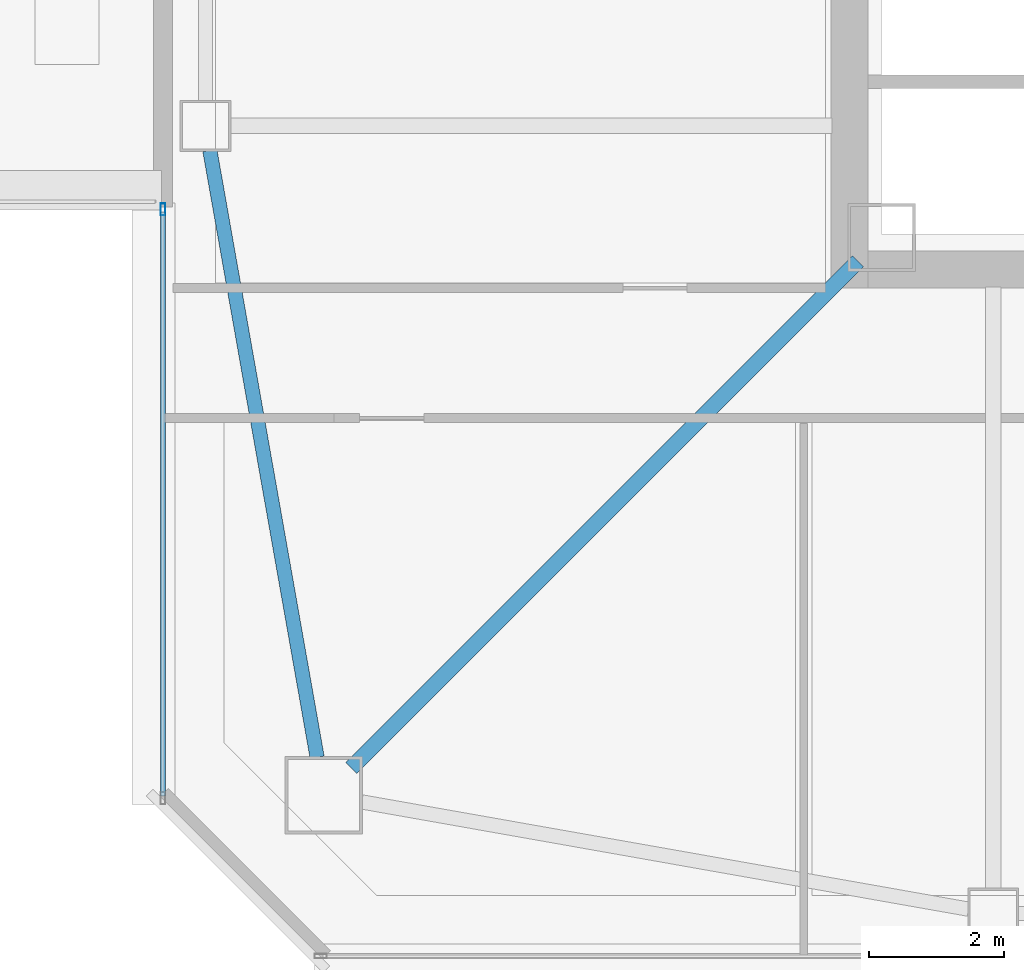
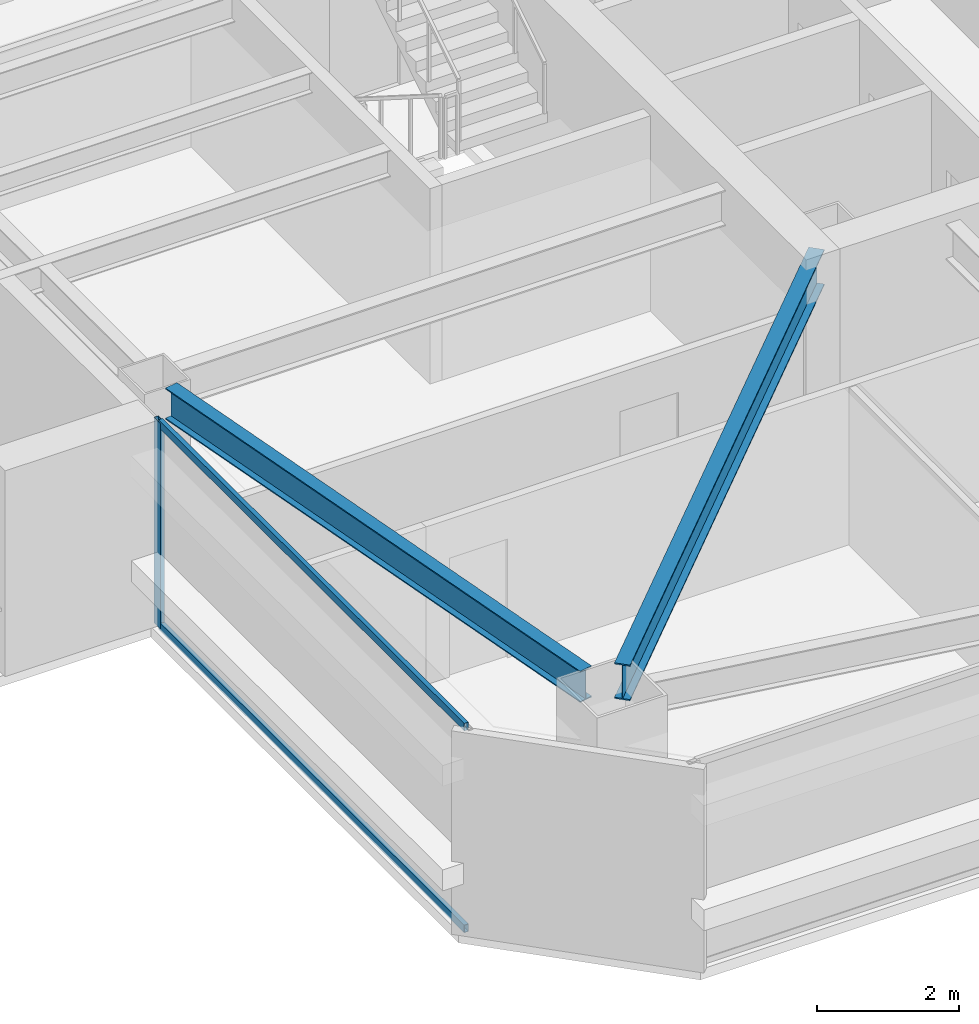
# One storey, part 4 of 43: 3 members, 2 beams, 1 element without a shape of its own.
"""IFC4 building model written with IfcOpenShell, lengths in metres."""

from ifc_helpers import new_model, si_unit, direction, frame, origin, origin_2d, place, context, subcontext, project, spatial, hollow_rectangle, i_section, extrude, material, material_profile, profile_set, type_object, element, aggregate, save


model = new_model("IFC4")

# Units and contexts
model_context = context("Model", 3, precision=1e-05, world=origin(), true_north=direction((0.0, 1.0)))
body_context = subcontext(model_context, "Body", "Model", "MODEL_VIEW")
ifc_project = project(units=[si_unit("LENGTHUNIT", "METRE"), si_unit("AREAUNIT", "SQUARE_METRE"), si_unit("VOLUMEUNIT", "CUBIC_METRE"), si_unit("PLANEANGLEUNIT", "RADIAN"), si_unit("MASSUNIT", "GRAM", prefix="KILO")], contexts=[model_context])

# Site, building, storey
site_placement = place(None, origin())
site = spatial("IfcSite", under=ifc_project, at=site_placement, CompositionType="ELEMENT")
building_placement = place(site_placement, origin())
building = spatial("IfcBuilding", under=site, at=building_placement, Name="Tashvorn Skyway Center", CompositionType="ELEMENT")
storey_placement = place(building_placement, frame((0.0, 0.0, 188.949951171875)))
storey = spatial("IfcBuildingStorey", under=building, at=storey_placement, Name="L51", CompositionType="ELEMENT", Elevation=188.949951171875)

# Beams
ifc_material_1 = material(Name="Steel ASTM A992 Grade 50", Category="steel")
ifc_material_profile_1 = material_profile(ifc_material_1, i_section(OverallWidth=0.22998046875, OverallDepth=0.616943359375, WebThickness=0.01318359375, FlangeThickness=0.022216796875, at=origin_2d()), Name="W24X94")
ifc_profile_set_1 = profile_set([ifc_material_profile_1], Name="Steel ASTM A992 Grade 50")
beam_type_1 = type_object("IfcBeamType", Name="BM-BEAM-W24X94", PredefinedType="BEAM", material=ifc_profile_set_1)
beam_1_placement = place(storey_placement, frame((27.10302734375, 17.10302734375, 3.0615234375), z_axis=(0.707106781187, 0.707106781187, 0.0), x_axis=(-0.707106781187, 0.707106781187, 0.0)))
element("IfcBeam", 1, at=beam_1_placement, inside=storey, type_object=beam_type_1, Name="Tower 1 L51 Primary Floor Girder MC-SW", PredefinedType="BEAM", context=body_context, shape_type="SweptSolid", body=[
    extrude(i_section(OverallWidth=0.22998046875, OverallDepth=0.616943359375, WebThickness=0.01318359375, FlangeThickness=0.022216796875, at=origin_2d()), origin(), (0.0, 0.0, 1.0), 10.6025390625),
])
ifc_material_profile_2 = material_profile(ifc_material_1, i_section(OverallWidth=0.2109375, OverallDepth=0.5390625, WebThickness=0.01171875, FlangeThickness=0.018798828125, at=origin_2d()), Name="W21X73")
ifc_profile_set_2 = profile_set([ifc_material_profile_2], Name="Steel ASTM A992 Grade 50")
beam_type_2 = type_object("IfcBeamType", Name="BM-SPANDREL-W21X73", PredefinedType="SPANDREL", material=ifc_profile_set_2)
beam_2_placement = place(storey_placement, frame((25.014404296875, 26.235595703125, 3.1005859375), z_axis=(0.174074160933, -0.984732545667, 0.0), x_axis=(0.984732545667, 0.174074160933, 0.0)))
element("IfcBeam", 2, at=beam_2_placement, inside=storey, type_object=beam_type_2, Name="Tower 1 L51 Spandrel Beam 12", PredefinedType="SPANDREL", context=body_context, shape_type="SweptSolid", body=[
    extrude(i_section(OverallWidth=0.2109375, OverallDepth=0.5390625, WebThickness=0.01171875, FlangeThickness=0.018798828125, at=origin_2d()), origin(), (0.0, 0.0, 1.0), 9.113525390625),
])

# Curtain wall, members
ifc_material_2 = material(Name="Thermally broken bronze-anodized aluminium 6063-T6", Category="aluminium")
curtain_wall_type = type_object("IfcCurtainWallType", Name="CW-CW-Z4", PredefinedType="NOTDEFINED", material=ifc_material_2)
curtain_wall_placement = place(storey_placement, origin())
curtain_wall = element("IfcCurtainWall", 3, at=curtain_wall_placement, inside=storey, type_object=curtain_wall_type, Name="Tower 1 L51 West Curtain Wall L", PredefinedType="NOTDEFINED")
ifc_material_profile_3 = material_profile(ifc_material_2, hollow_rectangle(XDim=0.070068359375, YDim=0.179931640625, WallThickness=0.00390625, at=origin_2d()), Name="ALU-MULL-70x180")
ifc_profile_set_3 = profile_set([ifc_material_profile_3], Name="Thermally broken bronze-anodized aluminium 6063-T6")
member_type_1 = type_object("IfcMemberType", Name="CWM-CW-Z4", PredefinedType="MULLION", material=ifc_profile_set_3)
member_1_placement = place(storey_placement, frame((24.320068359375, 25.364990234375, 0.0), z_axis=(0.0, 0.0, 1.0), x_axis=(-1.0, 0.0, 0.0)))
member_1 = element("IfcMember", 4, at=member_1_placement, type_object=member_type_1, Name="CW-Z4 mullion 2", PredefinedType="MULLION", context=body_context, shape_type="SweptSolid", body=[
    extrude(hollow_rectangle(XDim=0.070068359375, YDim=0.179931640625, WallThickness=0.00390625, at=origin_2d()), origin(), (0.0, 0.0, 1.0), 3.550048828125),
])
ifc_material_profile_4 = material_profile(ifc_material_2, hollow_rectangle(XDim=0.070068359375, YDim=0.1298828125, WallThickness=0.00390625, at=origin_2d()), Name="ALU-TRAN-70x130")
ifc_profile_set_4 = profile_set([ifc_material_profile_4], Name="Thermally broken bronze-anodized aluminium 6063-T6")
member_type_2 = type_object("IfcMemberType", Name="CWT-CW-Z4", PredefinedType="USERDEFINED", material=ifc_profile_set_4)
member_2_placement = place(storey_placement, frame((24.320068359375, 16.68994140625, 0.03515625), z_axis=(0.0, 1.0, 0.0), x_axis=(-1.0, 0.0, 0.0)))
member_2 = element("IfcMember", 5, at=member_2_placement, type_object=member_type_2, Name="CW-Z4 transom 1.1", ObjectType="TRANSOM", PredefinedType="USERDEFINED", context=body_context, shape_type="SweptSolid", body=[
    extrude(hollow_rectangle(XDim=0.070068359375, YDim=0.1298828125, WallThickness=0.00390625, at=origin_2d()), origin(), (0.0, 0.0, 1.0), 8.64013671875),
])
member_3_placement = place(storey_placement, frame((24.320068359375, 16.68994140625, 3.51513671875), z_axis=(0.0, 1.0, 0.0), x_axis=(-1.0, 0.0, 0.0)))
member_3 = element("IfcMember", 6, at=member_3_placement, type_object=member_type_2, Name="CW-Z4 transom 1.2", ObjectType="TRANSOM", PredefinedType="USERDEFINED", context=body_context, shape_type="SweptSolid", body=[
    extrude(hollow_rectangle(XDim=0.070068359375, YDim=0.1298828125, WallThickness=0.00390625, at=origin_2d()), origin(), (0.0, 0.0, 1.0), 8.64013671875),
])
aggregate(curtain_wall, [member_1, member_2, member_3])

save(model, "model.ifc")
